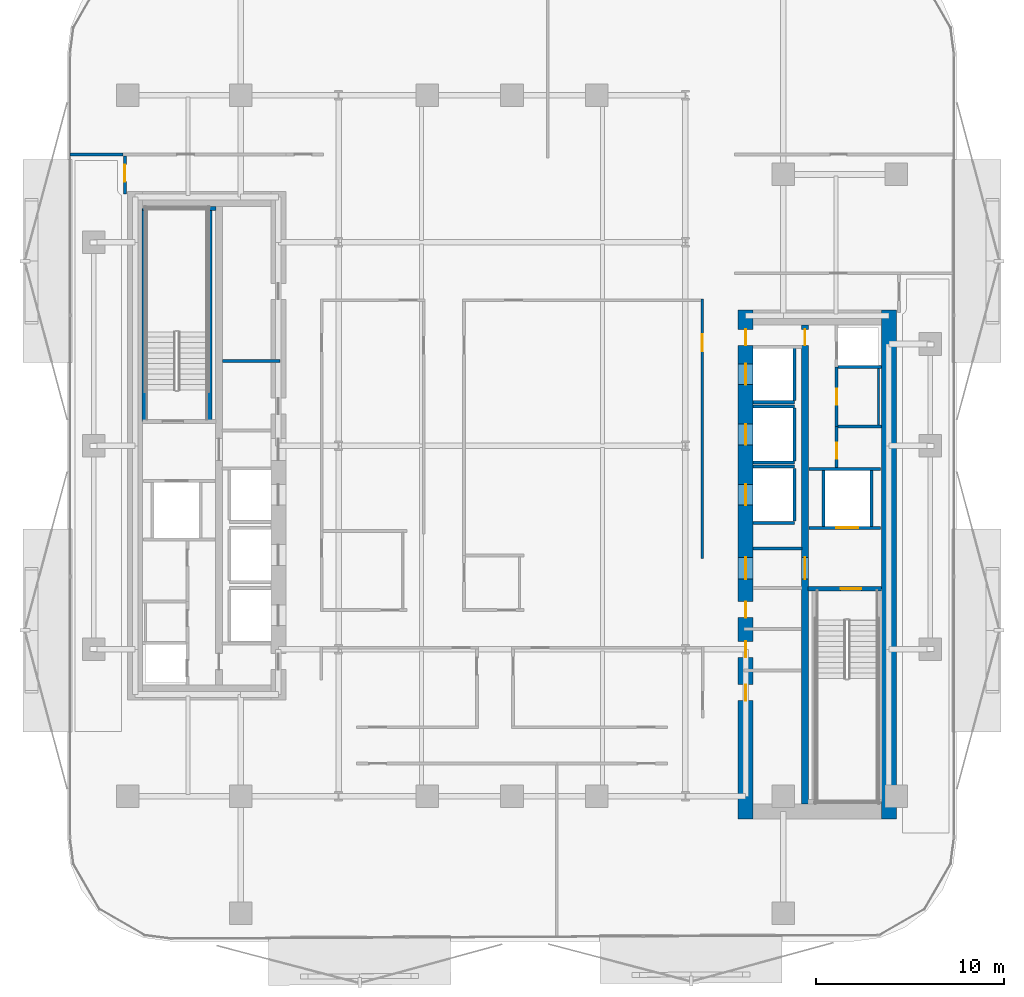
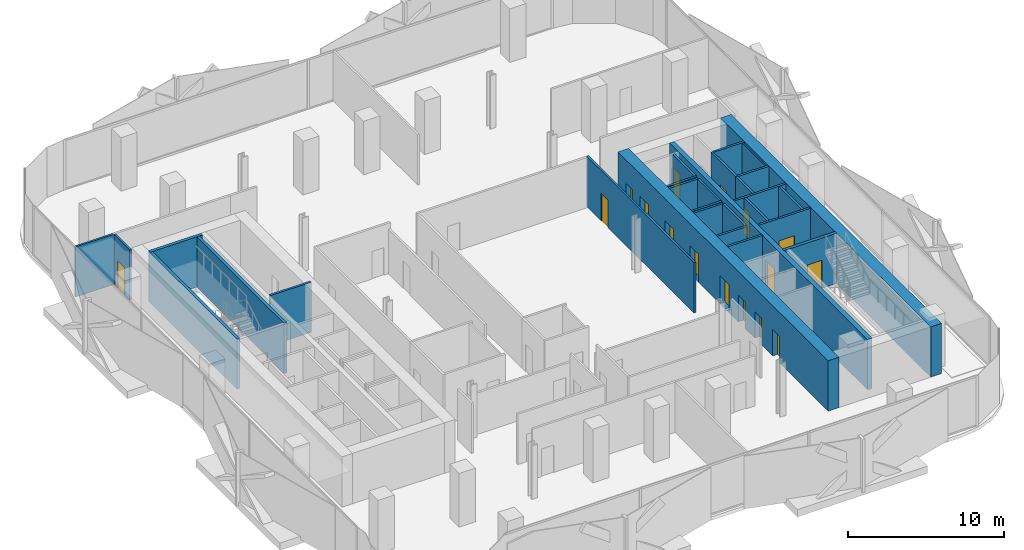
# One storey, part 5 of 16: 29 walls, 16 doors, 16 openings.
"""IFC4 building model written with IfcOpenShell, lengths in metres."""

from ifc_helpers import new_model, si_unit, direction, frame, frame_2d, origin, place, context, subcontext, project, spatial, rectangle, extrude, material, layer, layer_set, type_object, element, fill, save


model = new_model("IFC4")

# Units and contexts
model_context = context("Model", 3, precision=1e-05, world=origin(), true_north=direction((0.0, 1.0)))
body_context = subcontext(model_context, "Body", "Model", "MODEL_VIEW")
ifc_project = project(units=[si_unit("LENGTHUNIT", "METRE"), si_unit("AREAUNIT", "SQUARE_METRE"), si_unit("VOLUMEUNIT", "CUBIC_METRE"), si_unit("PLANEANGLEUNIT", "RADIAN"), si_unit("MASSUNIT", "GRAM", prefix="KILO")], contexts=[model_context])

# Site, building, storey
site_placement = place(None, origin())
site = spatial("IfcSite", under=ifc_project, at=site_placement, CompositionType="ELEMENT")
building_placement = place(site_placement, origin())
building = spatial("IfcBuilding", under=site, at=building_placement, Name="Khairoan Windgate Tower", CompositionType="ELEMENT")
storey_placement = place(building_placement, frame((0.0, 0.0, 97.39990234375)))
storey = spatial("IfcBuildingStorey", under=building, at=storey_placement, Name="L22", CompositionType="ELEMENT", Elevation=97.39990234375)

# Walls
ifc_material_1 = material(Name="Moisture-Resistant Gypsum Partition", Category="gypsum")
ifc_layer_1 = layer(ifc_material_1, 0.10009765625, Name="Moisture-Resistant Gypsum Partition")
ifc_layer_set_1 = layer_set([ifc_layer_1], Name="Moisture-Resistant Gypsum Partition")
wall_type_1 = type_object("IfcWallType", Name="Bathroom Wet-Area Partition Wall", PredefinedType="PARTITIONING", material=ifc_layer_set_1)
wall_1_placement = place(storey_placement, frame((19.449951171875, 4.090087890625, 0.0), z_axis=(0.0, 0.0, 1.0), x_axis=(0.0, -1.0, 0.0)))
element("IfcWall", 1, at=wall_1_placement, inside=storey, type_object=wall_type_1, Name="L22 Wet Room Side Wall 047", PredefinedType="PARTITIONING", context=body_context, shape_type="SweptSolid", body=[
    extrude(rectangle(XDim=2.97998046875, YDim=0.10009765625, at=frame_2d((1.489990234375, 0.0))), origin(), (0.0, 0.0, 1.0), 3.940185546875),
])
ifc_material_2 = material(Name="Concrete C40/50", Category="concrete")
ifc_layer_2 = layer(ifc_material_2, 0.159912109375, Name="Concrete C40/50")
ifc_layer_set_2 = layer_set([ifc_layer_2], Name="Concrete C40/50")
wall_type_2 = type_object("IfcWallType", Name="Core and Hoistway Enclosure Wall", PredefinedType="STANDARD", material=ifc_layer_set_2)
wall_2_placement = place(storey_placement, frame((12.800048828125, 2.31005859375, 0.0), z_axis=(0.0, 0.0, 1.0), x_axis=(1.0, 0.0, 0.0)))
element("IfcWall", 2, at=wall_2_placement, inside=storey, type_object=wall_type_2, Name="L22 Lift PL7 Hoistway Divider S", PredefinedType="STANDARD", context=body_context, shape_type="SweptSolid", body=[
    extrude(rectangle(XDim=2.18994140625, YDim=0.159912109375, at=frame_2d((1.094970703125, 0.0))), origin(), (0.0, 0.0, 1.0), 3.940185546875),
])
wall_3_placement = place(storey_placement, frame((14.989990234375, 2.39990234375, 0.0), z_axis=(0.0, 0.0, 1.0), x_axis=(0.0, 1.0, 0.0)))
element("IfcWall", 3, at=wall_3_placement, inside=storey, type_object=wall_type_2, Name="L22 Lift PL7 Hoistway Back Wall", PredefinedType="STANDARD", context=body_context, shape_type="SweptSolid", body=[
    extrude(rectangle(XDim=2.800048828125, YDim=0.159912109375, at=frame_2d((1.39990234375, 0.0))), origin(), (0.0, 0.0, 1.0), 3.940185546875),
])
for number, where, z_axis, x_axis, name in (
    (4, (12.800048828125, -0.889892578125, 0.0), (0.0, 0.0, 1.0), (1.0, 0.0, 0.0), "L22 Lift PL8 Hoistway Divider S"),
    (5, (12.800048828125, 2.090087890625, 0.0), (0.0, 0.0, 1.0), (1.0, 0.0, 0.0), "L22 Lift PL8 Hoistway Divider N"),
):
    element("IfcWall", number, at=place(storey_placement, frame(where, z_axis=z_axis, x_axis=x_axis)), inside=storey, type_object=wall_type_2, Name=name, PredefinedType="STANDARD", context=body_context, shape_type="SweptSolid", body=[
        extrude(rectangle(XDim=2.18994140625, YDim=0.159912109375, at=frame_2d((1.094970703125, 0.0))), origin(), (0.0, 0.0, 1.0), 3.940185546875),
    ])
wall_4_placement = place(storey_placement, frame((14.989990234375, -0.800048828125, 0.0), z_axis=(0.0, 0.0, 1.0), x_axis=(0.0, 1.0, 0.0)))
element("IfcWall", 6, at=wall_4_placement, inside=storey, type_object=wall_type_2, Name="L22 Lift PL8 Hoistway Back Wall", PredefinedType="STANDARD", context=body_context, shape_type="SweptSolid", body=[
    extrude(rectangle(XDim=2.800048828125, YDim=0.159912109375, at=frame_2d((1.39990234375, 0.0))), origin(), (0.0, 0.0, 1.0), 3.940185546875),
])
for number, where, z_axis, x_axis, name in (
    (7, (12.800048828125, -4.090087890625, 0.0), (0.0, 0.0, 1.0), (1.0, 0.0, 0.0), "L22 Lift PL9 Hoistway Divider S"),
    (8, (12.800048828125, -1.110107421875, 0.0), (0.0, 0.0, 1.0), (1.0, 0.0, 0.0), "L22 Lift PL9 Hoistway Divider N"),
):
    element("IfcWall", number, at=place(storey_placement, frame(where, z_axis=z_axis, x_axis=x_axis)), inside=storey, type_object=wall_type_2, Name=name, PredefinedType="STANDARD", context=body_context, shape_type="SweptSolid", body=[
        extrude(rectangle(XDim=2.18994140625, YDim=0.159912109375, at=frame_2d((1.094970703125, 0.0))), origin(), (0.0, 0.0, 1.0), 3.940185546875),
    ])
wall_5_placement = place(storey_placement, frame((14.989990234375, -4.0, 0.0), z_axis=(0.0, 0.0, 1.0), x_axis=(0.0, 1.0, 0.0)))
element("IfcWall", 9, at=wall_5_placement, inside=storey, type_object=wall_type_2, Name="L22 Lift PL9 Hoistway Back Wall", PredefinedType="STANDARD", context=body_context, shape_type="SweptSolid", body=[
    extrude(rectangle(XDim=2.800048828125, YDim=0.159912109375, at=frame_2d((1.39990234375, 0.0))), origin(), (0.0, 0.0, 1.0), 3.940185546875),
])

# Wall, opening, door
wall_6_placement = place(storey_placement, frame((15.75, -4.360107421875, 0.0), z_axis=(0.0, 0.0, 1.0), x_axis=(1.0, 0.0, 0.0)))
wall_6 = element("IfcWall", 10, at=wall_6_placement, inside=storey, type_object=wall_type_2, Name="L22 Core Shaft Wall SW-FL1-L22", PredefinedType="STANDARD", context=body_context, shape_type="SweptSolid", body=[
    extrude(rectangle(XDim=3.800048828125, YDim=0.159912109375, at=frame_2d((1.89990234375, 0.0))), origin(), (0.0, 0.0, 1.0), 3.940185546875),
])
opening_1_placement = place(wall_6_placement, frame((1.469970703125, 0.0, 0.0)))
opening_1 = element("IfcOpeningElement", 11, at=opening_1_placement, cuts=wall_6, Name="Opening LD-FL", PredefinedType="OPENING", context=body_context, shape_type="SweptSolid", body=[
    extrude(rectangle(XDim=1.14990234375, YDim=2.199951171875, at=frame_2d((0.574951171875, 1.10009765625))), frame((0.0, 0.08984375, 0.0), z_axis=(0.0, -1.0, 0.0), x_axis=(1.0, 0.0, 0.0)), (0.0, 0.0, 1.0), 0.179931640625),
])
ifc_material_3 = material(Name="Steel S355", Category="steel")
door_type_1 = type_object("IfcDoorType", Name="Firefighting Lift Sliding Landing Door LD-FL 1150x2200", OperationType="DOUBLE_DOOR_SLIDING", PredefinedType="DOOR", material=ifc_material_3)
door_1_placement = place(opening_1_placement, origin())
door_1 = element("IfcDoor", 12, at=door_1_placement, inside=storey, type_object=door_type_1, Name="L22 Firefighting Lift FL1 Landing Door", OperationType="DOUBLE_DOOR_SLIDING", OverallHeight=2.199951171875, OverallWidth=1.14990234375, PredefinedType="DOOR", context=body_context, shape_type="SweptSolid", body=[
    extrude(rectangle(XDim=1.14990234375, YDim=2.199951171875, at=frame_2d((0.574951171875, 1.10009765625))), frame((0.0, 0.02490234375, 0.0), z_axis=(0.0, -1.0, 0.0), x_axis=(1.0, 0.0, 0.0)), (0.0, 0.0, 1.0), 0.050048828125),
])
fill(opening_1, door_1)

# Walls
wall_7_placement = place(storey_placement, frame((15.75, -1.219970703125, 0.0), z_axis=(0.0, 0.0, 1.0), x_axis=(1.0, 0.0, 0.0)))
element("IfcWall", 13, at=wall_7_placement, inside=storey, type_object=wall_type_2, Name="L22 Core Shaft Wall SW-FL1T-L22", PredefinedType="STANDARD", context=body_context, shape_type="SweptSolid", body=[
    extrude(rectangle(XDim=3.800048828125, YDim=0.159912109375, at=frame_2d((1.89990234375, 0.0))), origin(), (0.0, 0.0, 1.0), 3.940185546875),
])
for number, where, z_axis, x_axis, name in (
    (14, (16.52001953125, -4.280029296875, 0.0), (0.0, 0.0, 1.0), (0.0, 1.0, 0.0), "L22 Core Shaft Wall SW-FL1W-L22"),
    (15, (19.080078125, -4.280029296875, 0.0), (0.0, 0.0, 1.0), (0.0, 1.0, 0.0), "L22 Core Shaft Wall SW-FL1E-L22"),
):
    element("IfcWall", number, at=place(storey_placement, frame(where, z_axis=z_axis, x_axis=x_axis)), inside=storey, type_object=wall_type_2, Name=name, PredefinedType="STANDARD", context=body_context, shape_type="SweptSolid", body=[
        extrude(rectangle(XDim=2.97998046875, YDim=0.159912109375, at=frame_2d((1.489990234375, 0.0))), origin(), (0.0, 0.0, 1.0), 3.940185546875),
    ])
wall_8_placement = place(storey_placement, frame((12.800048828125, -5.449951171875, 0.0), z_axis=(0.0, 0.0, 1.0), x_axis=(1.0, 0.0, 0.0)))
element("IfcWall", 16, at=wall_8_placement, inside=storey, type_object=wall_type_2, Name="L22 Core Shaft Wall SW-EV1-L22", PredefinedType="STANDARD", context=body_context, shape_type="SweptSolid", body=[
    extrude(rectangle(XDim=2.599853515625, YDim=0.159912109375, at=frame_2d((1.2998046875, 0.0))), origin(), (0.0, 0.0, 1.0), 3.940185546875),
])
ifc_material_4 = material(Name="Acoustic Fire-Rated Gypsum Partition", Category="gypsum")
ifc_layer_3 = layer(ifc_material_4, 0.139892578125, Name="Acoustic Fire-Rated Gypsum Partition")
ifc_layer_set_3 = layer_set([ifc_layer_3], Name="Acoustic Fire-Rated Gypsum Partition")
wall_type_3 = type_object("IfcWallType", Name="Inter-Tenancy Compartment Wall", PredefinedType="PARTITIONING", material=ifc_layer_set_3)
wall_9_placement = place(storey_placement, frame((-23.455078125, 15.4599609375, 0.0), z_axis=(0.0, 0.0, 1.0), x_axis=(1.0, 0.0, 0.0)))
element("IfcWall", 17, at=wall_9_placement, inside=storey, type_object=wall_type_3, Name="L22 Interior Partition 039", PredefinedType="PARTITIONING", context=body_context, shape_type="SweptSolid", body=[
    extrude(rectangle(XDim=2.815185546875, YDim=0.139892578125, at=frame_2d((1.40771484375, 0.0))), origin(), (0.0, 0.0, 1.0), 3.940185546875),
])
ifc_material_5 = material(Name="Concrete C40/50", Category="concrete")
ifc_layer_4 = layer(ifc_material_5, 0.159912109375, Name="Concrete C40/50")
ifc_layer_set_4 = layer_set([ifc_layer_4], Name="Concrete C40/50")
wall_type_4 = type_object("IfcWallType", Name="Plant and Refuge Compartment Wall", PredefinedType="PARTITIONING", material=ifc_layer_set_4)
wall_10_placement = place(storey_placement, frame((-15.375, 4.5, 0.0), z_axis=(0.0, 0.0, 1.0), x_axis=(1.0, 0.0, 0.0)))
element("IfcWall", 18, at=wall_10_placement, inside=storey, type_object=wall_type_4, Name="L22 Interior Partition 006", PredefinedType="PARTITIONING", context=body_context, shape_type="SweptSolid", body=[
    extrude(rectangle(XDim=3.06494140625, YDim=0.159912109375, at=frame_2d((1.532470703125, 0.0))), origin(), (0.0, 0.0, 1.0), 3.940185546875),
])

# Wall, opening, door
wall_11_placement = place(storey_placement, frame((17.22998046875, -1.139892578125, 0.0), z_axis=(0.0, 0.0, 1.0), x_axis=(0.0, 1.0, 0.0)))
wall_11 = element("IfcWall", 19, at=wall_11_placement, inside=storey, type_object=wall_type_4, Name="L22 Interior Partition 008", PredefinedType="PARTITIONING", context=body_context, shape_type="SweptSolid", body=[
    extrude(rectangle(XDim=2.169921875, YDim=0.159912109375, at=frame_2d((1.0849609375, 0.0))), origin(), (0.0, 0.0, 1.0), 3.940185546875),
])
opening_2_placement = place(wall_11_placement, frame((0.4599609375, 0.0, 0.0)))
opening_2 = element("IfcOpeningElement", 20, at=opening_2_placement, cuts=wall_11, Name="Opening FD-SRV", PredefinedType="OPENING", context=body_context, shape_type="SweptSolid", body=[
    extrude(rectangle(XDim=0.85009765625, YDim=2.10009765625, at=frame_2d((0.425048828125, 1.050048828125))), frame((0.0, 0.08984375, 0.0), z_axis=(0.0, -1.0, 0.0), x_axis=(1.0, 0.0, 0.0)), (0.0, 0.0, 1.0), 0.179931640625),
])
ifc_material_6 = material(Name="Steel S355", Category="steel")
door_type_2 = type_object("IfcDoorType", Name="Core Service and Riser Fire Door FD-SRV 850x2100", OperationType="NOTDEFINED", PredefinedType="DOOR", material=ifc_material_6)
door_2_placement = place(opening_2_placement, origin())
door_2 = element("IfcDoor", 21, at=door_2_placement, inside=storey, type_object=door_type_2, Name="L22 L22-18-L22-20 Door", OperationType="SINGLE_SWING_RIGHT", OverallHeight=2.10009765625, OverallWidth=0.85009765625, PredefinedType="DOOR", context=body_context, shape_type="SweptSolid", body=[
    extrude(rectangle(XDim=0.85009765625, YDim=2.10009765625, at=frame_2d((0.425048828125, 1.050048828125))), frame((0.0, 0.02490234375, 0.0), z_axis=(0.0, -1.0, 0.0), x_axis=(1.0, 0.0, 0.0)), (0.0, 0.0, 1.0), 0.050048828125),
])
fill(opening_2, door_2)

wall_12_placement = place(storey_placement, frame((17.22998046875, 1.030029296875, 0.0), z_axis=(0.0, 0.0, 1.0), x_axis=(0.0, 1.0, 0.0)))
wall_12 = element("IfcWall", 22, at=wall_12_placement, inside=storey, type_object=wall_type_4, Name="L22 Interior Partition 009", PredefinedType="PARTITIONING", context=body_context, shape_type="SweptSolid", body=[
    extrude(rectangle(XDim=3.139892578125, YDim=0.159912109375, at=frame_2d((1.56982421875, 0.0))), origin(), (0.0, 0.0, 1.0), 3.940185546875),
])
opening_3_placement = place(wall_12_placement, frame((1.14501953125, 0.0, 0.0)))
opening_3 = element("IfcOpeningElement", 23, at=opening_3_placement, cuts=wall_12, Name="Opening FD-SRV", PredefinedType="OPENING", context=body_context, shape_type="SweptSolid", body=[
    extrude(rectangle(XDim=0.85009765625, YDim=2.10009765625, at=frame_2d((0.425048828125, 1.050048828125))), frame((0.0, 0.08984375, 0.0), z_axis=(0.0, -1.0, 0.0), x_axis=(1.0, 0.0, 0.0)), (0.0, 0.0, 1.0), 0.179931640625),
])
door_3_placement = place(opening_3_placement, origin())
door_3 = element("IfcDoor", 24, at=door_3_placement, inside=storey, type_object=door_type_2, Name="L22 L22-18-L22-21 Door", OperationType="SINGLE_SWING_LEFT", OverallHeight=2.10009765625, OverallWidth=0.85009765625, PredefinedType="DOOR", context=body_context, shape_type="SweptSolid", body=[
    extrude(rectangle(XDim=0.85009765625, YDim=2.10009765625, at=frame_2d((0.425048828125, 1.050048828125))), frame((0.0, 0.02490234375, 0.0), z_axis=(0.0, -1.0, 0.0), x_axis=(1.0, 0.0, 0.0)), (0.0, 0.0, 1.0), 0.050048828125),
])
fill(opening_3, door_3)

# Walls
for number, where, z_axis, x_axis, name in (
    (25, (17.31005859375, 4.169921875, 0.0), (0.0, 0.0, 1.0), (1.0, 0.0, 0.0), "L22 Interior Partition 010"),
    (26, (17.31005859375, 1.030029296875, 0.0), (0.0, 0.0, 1.0), (1.0, 0.0, 0.0), "L22 Interior Partition 011"),
):
    element("IfcWall", number, at=place(storey_placement, frame(where, z_axis=z_axis, x_axis=x_axis)), inside=storey, type_object=wall_type_4, Name=name, PredefinedType="PARTITIONING", context=body_context, shape_type="SweptSolid", body=[
        extrude(rectangle(XDim=2.2900390625, YDim=0.159912109375, at=frame_2d((1.14501953125, 0.0))), origin(), (0.0, 0.0, 1.0), 3.940185546875),
    ])

# Wall, opening, door
ifc_material_7 = material(Name="Acoustic Fire-Rated Gypsum Partition", Category="gypsum")
ifc_layer_5 = layer(ifc_material_7, 0.14990234375, Name="Acoustic Fire-Rated Gypsum Partition")
ifc_layer_set_5 = layer_set([ifc_layer_5], Name="Acoustic Fire-Rated Gypsum Partition")
wall_type_5 = type_object("IfcWallType", Name="Rated Corridor Partition Wall", PredefinedType="PARTITIONING", material=ifc_layer_set_5)
wall_13_placement = place(storey_placement, frame((10.10009765625, -5.97998046875, 0.0), z_axis=(0.0, 0.0, 1.0), x_axis=(0.0, 1.0, 0.0)))
wall_13 = element("IfcWall", 27, at=wall_13_placement, inside=storey, type_object=wall_type_5, Name="L22 Interior Partition 018", PredefinedType="PARTITIONING", context=body_context, shape_type="SweptSolid", body=[
    extrude(rectangle(XDim=13.77490234375, YDim=0.14990234375, at=frame_2d((6.887451171875, 0.0))), origin(), (0.0, 0.0, 1.0), 3.940185546875),
])
opening_4_placement = place(wall_13_placement, frame((10.99658203125, 0.0, 0.0)))
opening_4 = element("IfcOpeningElement", 28, at=opening_4_placement, cuts=wall_13, Name="Opening FD-ENT", PredefinedType="OPENING", context=body_context, shape_type="SweptSolid", body=[
    extrude(rectangle(XDim=0.89990234375, YDim=2.14990234375, at=frame_2d((0.449951171875, 1.074951171875))), frame((0.0, 0.0849609375, 0.0), z_axis=(0.0, -1.0, 0.0), x_axis=(1.0, 0.0, 0.0)), (0.0, 0.0, 1.0), 0.169921875),
])
ifc_material_8 = material(Name="Timber Fire-Rated Core", Category="wood")
door_type_3 = type_object("IfcDoorType", Name="Unit and Office Fire Entrance Door FD-ENT 900x2150", OperationType="NOTDEFINED", PredefinedType="DOOR", material=ifc_material_8)
door_4_placement = place(opening_4_placement, origin())
door_4 = element("IfcDoor", 29, at=door_4_placement, inside=storey, type_object=door_type_3, Name="L22 L22-31-L22-47 Door", OperationType="SINGLE_SWING_RIGHT", OverallHeight=2.14990234375, OverallWidth=0.89990234375, PredefinedType="DOOR", context=body_context, shape_type="SweptSolid", body=[
    extrude(rectangle(XDim=0.89990234375, YDim=2.14990234375, at=frame_2d((0.449951171875, 1.074951171875))), frame((0.0, 0.02490234375, 0.0), z_axis=(0.0, -1.0, 0.0), x_axis=(1.0, 0.0, 0.0)), (0.0, 0.0, 1.0), 0.050048828125),
])
fill(opening_4, door_4)

wall_14_placement = place(storey_placement, frame((-20.5400390625, 13.360107421875, 0.0), z_axis=(0.0, 0.0, 1.0), x_axis=(0.0, 1.0, 0.0)))
wall_14 = element("IfcWall", 30, at=wall_14_placement, inside=storey, type_object=wall_type_5, Name="L22 Interior Partition 029", PredefinedType="PARTITIONING", context=body_context, shape_type="SweptSolid", body=[
    extrude(rectangle(XDim=2.02490234375, YDim=0.14990234375, at=frame_2d((1.012451171875, 0.0))), origin(), (0.0, 0.0, 1.0), 3.940185546875),
])
opening_5_placement = place(wall_14_placement, frame((0.6650390625, 0.0, 0.0)))
opening_5 = element("IfcOpeningElement", 31, at=opening_5_placement, cuts=wall_14, Name="Opening FD-ENT", PredefinedType="OPENING", context=body_context, shape_type="SweptSolid", body=[
    extrude(rectangle(XDim=0.89990234375, YDim=2.14990234375, at=frame_2d((0.449951171875, 1.074951171875))), frame((0.0, 0.0849609375, 0.0), z_axis=(0.0, -1.0, 0.0), x_axis=(1.0, 0.0, 0.0)), (0.0, 0.0, 1.0), 0.169921875),
])
door_5_placement = place(opening_5_placement, origin())
door_5 = element("IfcDoor", 32, at=door_5_placement, inside=storey, type_object=door_type_3, Name="L22 L22-35-L22-39 Door", OperationType="SINGLE_SWING_LEFT", OverallHeight=2.14990234375, OverallWidth=0.89990234375, PredefinedType="DOOR", context=body_context, shape_type="SweptSolid", body=[
    extrude(rectangle(XDim=0.89990234375, YDim=2.14990234375, at=frame_2d((0.449951171875, 1.074951171875))), frame((0.0, 0.02490234375, 0.0), z_axis=(0.0, -1.0, 0.0), x_axis=(1.0, 0.0, 0.0)), (0.0, 0.0, 1.0), 0.050048828125),
])
fill(opening_5, door_5)

# Wall, openings, doors
ifc_material_9 = material(Name="Concrete C70/85", Category="concrete")
ifc_layer_6 = layer(ifc_material_9, 0.800048828125, Name="Concrete C70/85")
ifc_layer_set_6 = layer_set([ifc_layer_6], Name="Concrete C70/85")
wall_type_6 = type_object("IfcWallType", Name="Shear Wall CW-E1 800mm", PredefinedType="SHEAR", material=ifc_layer_set_6)
wall_15_placement = place(storey_placement, frame((12.39990234375, -19.800048828125, 0.0), z_axis=(0.0, 0.0, 1.0), x_axis=(0.0, 1.0, 0.0)))
wall_15 = element("IfcWall", 33, at=wall_15_placement, inside=storey, type_object=wall_type_6, Name="E Core West Shear Wall L22", PredefinedType="SHEAR", context=body_context, shape_type="SweptSolid", body=[
    extrude(rectangle(XDim=27.0, YDim=0.800048828125, at=frame_2d((13.5, 0.0))), origin(), (0.0, 0.0, 1.0), 3.940185546875),
])
opening_6_placement = place(wall_15_placement, frame((23.050048828125, 0.0, 0.0)))
opening_6 = element("IfcOpeningElement", 34, at=opening_6_placement, cuts=wall_15, Name="Opening LD-PL", PredefinedType="OPENING", context=body_context, shape_type="SweptSolid", body=[
    extrude(rectangle(XDim=1.10009765625, YDim=2.199951171875, at=frame_2d((0.550048828125, 1.10009765625))), frame((0.0, 0.409912109375, 0.0), z_axis=(0.0, -1.0, 0.0), x_axis=(1.0, 0.0, 0.0)), (0.0, 0.0, 1.0), 0.820068359375),
])
opening_7_placement = place(wall_15_placement, frame((19.85009765625, 0.0, 0.0)))
opening_7 = element("IfcOpeningElement", 35, at=opening_7_placement, cuts=wall_15, Name="Opening LD-PL", PredefinedType="OPENING", context=body_context, shape_type="SweptSolid", body=[
    extrude(rectangle(XDim=1.10009765625, YDim=2.199951171875, at=frame_2d((0.550048828125, 1.10009765625))), frame((0.0, 0.409912109375, 0.0), z_axis=(0.0, -1.0, 0.0), x_axis=(1.0, 0.0, 0.0)), (0.0, 0.0, 1.0), 0.820068359375),
])
opening_8_placement = place(wall_15_placement, frame((16.64990234375, 0.0, 0.0)))
opening_8 = element("IfcOpeningElement", 36, at=opening_8_placement, cuts=wall_15, Name="Opening LD-PL", PredefinedType="OPENING", context=body_context, shape_type="SweptSolid", body=[
    extrude(rectangle(XDim=1.10009765625, YDim=2.199951171875, at=frame_2d((0.550048828125, 1.10009765625))), frame((0.0, 0.409912109375, 0.0), z_axis=(0.0, -1.0, 0.0), x_axis=(1.0, 0.0, 0.0)), (0.0, 0.0, 1.0), 0.820068359375),
])
opening_9_placement = place(wall_15_placement, frame((6.27490234375, 0.0, 0.0)))
opening_9 = element("IfcOpeningElement", 37, at=opening_9_placement, cuts=wall_15, Name="Opening FD-SRV", PredefinedType="OPENING", context=body_context, shape_type="SweptSolid", body=[
    extrude(rectangle(XDim=0.85009765625, YDim=2.10009765625, at=frame_2d((0.425048828125, 1.050048828125))), frame((0.0, 0.409912109375, 0.0), z_axis=(0.0, -1.0, 0.0), x_axis=(1.0, 0.0, 0.0)), (0.0, 0.0, 1.0), 0.820068359375),
])
opening_10_placement = place(wall_15_placement, frame((8.574951171875, 0.0, 0.0)))
opening_10 = element("IfcOpeningElement", 38, at=opening_10_placement, cuts=wall_15, Name="Opening FD-SRV", PredefinedType="OPENING", context=body_context, shape_type="SweptSolid", body=[
    extrude(rectangle(XDim=0.85009765625, YDim=2.10009765625, at=frame_2d((0.425048828125, 1.050048828125))), frame((0.0, 0.409912109375, 0.0), z_axis=(0.0, -1.0, 0.0), x_axis=(1.0, 0.0, 0.0)), (0.0, 0.0, 1.0), 0.820068359375),
])
opening_11_placement = place(wall_15_placement, frame((10.675048828125, 0.0, 0.0)))
opening_11 = element("IfcOpeningElement", 39, at=opening_11_placement, cuts=wall_15, Name="Opening FD-SRV", PredefinedType="OPENING", context=body_context, shape_type="SweptSolid", body=[
    extrude(rectangle(XDim=0.85009765625, YDim=2.10009765625, at=frame_2d((0.425048828125, 1.050048828125))), frame((0.0, 0.409912109375, 0.0), z_axis=(0.0, -1.0, 0.0), x_axis=(1.0, 0.0, 0.0)), (0.0, 0.0, 1.0), 0.820068359375),
])
opening_12_placement = place(wall_15_placement, frame((12.72509765625, 0.0, 0.0)))
opening_12 = element("IfcOpeningElement", 40, at=opening_12_placement, cuts=wall_15, Name="Opening FD-FFL", PredefinedType="OPENING", context=body_context, shape_type="SweptSolid", body=[
    extrude(rectangle(XDim=1.14990234375, YDim=2.199951171875, at=frame_2d((0.574951171875, 1.10009765625))), frame((0.0, 0.409912109375, 0.0), z_axis=(0.0, -1.0, 0.0), x_axis=(1.0, 0.0, 0.0)), (0.0, 0.0, 1.0), 0.820068359375),
])
opening_13_placement = place(wall_15_placement, frame((25.125, 0.0, 0.0)))
opening_13 = element("IfcOpeningElement", 41, at=opening_13_placement, cuts=wall_15, Name="Opening FD-SRV", PredefinedType="OPENING", context=body_context, shape_type="SweptSolid", body=[
    extrude(rectangle(XDim=0.85009765625, YDim=2.10009765625, at=frame_2d((0.425048828125, 1.050048828125))), frame((0.0, 0.409912109375, 0.0), z_axis=(0.0, -1.0, 0.0), x_axis=(1.0, 0.0, 0.0)), (0.0, 0.0, 1.0), 0.820068359375),
])
door_6_placement = place(opening_9_placement, origin())
door_6 = element("IfcDoor", 42, at=door_6_placement, inside=storey, type_object=door_type_2, Name="L22 East Core Service Room Door 1", OperationType="SINGLE_SWING_LEFT", OverallHeight=2.10009765625, OverallWidth=0.85009765625, PredefinedType="DOOR", context=body_context, shape_type="SweptSolid", body=[
    extrude(rectangle(XDim=0.85009765625, YDim=2.10009765625, at=frame_2d((0.425048828125, 1.050048828125))), frame((0.0, 0.02490234375, 0.0), z_axis=(0.0, -1.0, 0.0), x_axis=(1.0, 0.0, 0.0)), (0.0, 0.0, 1.0), 0.050048828125),
])
fill(opening_9, door_6)
door_7_placement = place(opening_10_placement, origin())
door_7 = element("IfcDoor", 43, at=door_7_placement, inside=storey, type_object=door_type_2, Name="L22 East Core Service Room Door 2", OperationType="SINGLE_SWING_RIGHT", OverallHeight=2.10009765625, OverallWidth=0.85009765625, PredefinedType="DOOR", context=body_context, shape_type="SweptSolid", body=[
    extrude(rectangle(XDim=0.85009765625, YDim=2.10009765625, at=frame_2d((0.425048828125, 1.050048828125))), frame((0.0, 0.02490234375, 0.0), z_axis=(0.0, -1.0, 0.0), x_axis=(1.0, 0.0, 0.0)), (0.0, 0.0, 1.0), 0.050048828125),
])
fill(opening_10, door_7)
door_8_placement = place(opening_11_placement, origin())
door_8 = element("IfcDoor", 44, at=door_8_placement, inside=storey, type_object=door_type_2, Name="L22 East Core Service Room Door 3", OperationType="SINGLE_SWING_LEFT", OverallHeight=2.10009765625, OverallWidth=0.85009765625, PredefinedType="DOOR", context=body_context, shape_type="SweptSolid", body=[
    extrude(rectangle(XDim=0.85009765625, YDim=2.10009765625, at=frame_2d((0.425048828125, 1.050048828125))), frame((0.0, 0.02490234375, 0.0), z_axis=(0.0, -1.0, 0.0), x_axis=(1.0, 0.0, 0.0)), (0.0, 0.0, 1.0), 0.050048828125),
])
fill(opening_11, door_8)
door_9_placement = place(opening_13_placement, origin())
door_9 = element("IfcDoor", 45, at=door_9_placement, inside=storey, type_object=door_type_2, Name="L22 East Core Service Vestibule Outer Door", OperationType="SINGLE_SWING_RIGHT", OverallHeight=2.10009765625, OverallWidth=0.85009765625, PredefinedType="DOOR", context=body_context, shape_type="SweptSolid", body=[
    extrude(rectangle(XDim=0.85009765625, YDim=2.10009765625, at=frame_2d((0.425048828125, 1.050048828125))), frame((0.0, 0.02490234375, 0.0), z_axis=(0.0, -1.0, 0.0), x_axis=(1.0, 0.0, 0.0)), (0.0, 0.0, 1.0), 0.050048828125),
])
fill(opening_13, door_9)
ifc_material_10 = material(Name="Steel S355", Category="steel")
door_type_4 = type_object("IfcDoorType", Name="Firefighting Lobby Fire Door FD-FFL 1150x2200", OperationType="NOTDEFINED", PredefinedType="DOOR", material=ifc_material_10)
door_10_placement = place(opening_12_placement, origin())
door_10 = element("IfcDoor", 46, at=door_10_placement, inside=storey, type_object=door_type_4, Name="L22 East Core Vestibule Entry Door", OperationType="SINGLE_SWING_RIGHT", OverallHeight=2.199951171875, OverallWidth=1.14990234375, PredefinedType="DOOR", context=body_context, shape_type="SweptSolid", body=[
    extrude(rectangle(XDim=1.14990234375, YDim=2.199951171875, at=frame_2d((0.574951171875, 1.10009765625))), frame((0.0, 0.02490234375, 0.0), z_axis=(0.0, -1.0, 0.0), x_axis=(1.0, 0.0, 0.0)), (0.0, 0.0, 1.0), 0.050048828125),
])
fill(opening_12, door_10)
ifc_material_11 = material(Name="Anodised Bronze Aluminium 6063-T6", Category="aluminium")
door_type_5 = type_object("IfcDoorType", Name="Passenger Lift Sliding Landing Door LD-PL 1100x2200", OperationType="DOUBLE_DOOR_SLIDING", PredefinedType="DOOR", material=ifc_material_11)
door_11_placement = place(opening_6_placement, origin())
door_11 = element("IfcDoor", 47, at=door_11_placement, inside=storey, type_object=door_type_5, Name="L22 Lift PL7 Sliding Landing Door", OperationType="DOUBLE_DOOR_SLIDING", OverallHeight=2.199951171875, OverallWidth=1.10009765625, PredefinedType="DOOR", context=body_context, shape_type="SweptSolid", body=[
    extrude(rectangle(XDim=1.10009765625, YDim=2.199951171875, at=frame_2d((0.550048828125, 1.10009765625))), frame((0.0, 0.02490234375, 0.0), z_axis=(0.0, -1.0, 0.0), x_axis=(1.0, 0.0, 0.0)), (0.0, 0.0, 1.0), 0.050048828125),
])
fill(opening_6, door_11)
door_12_placement = place(opening_7_placement, origin())
door_12 = element("IfcDoor", 48, at=door_12_placement, inside=storey, type_object=door_type_5, Name="L22 Lift PL8 Sliding Landing Door", OperationType="DOUBLE_DOOR_SLIDING", OverallHeight=2.199951171875, OverallWidth=1.10009765625, PredefinedType="DOOR", context=body_context, shape_type="SweptSolid", body=[
    extrude(rectangle(XDim=1.10009765625, YDim=2.199951171875, at=frame_2d((0.550048828125, 1.10009765625))), frame((0.0, 0.02490234375, 0.0), z_axis=(0.0, -1.0, 0.0), x_axis=(1.0, 0.0, 0.0)), (0.0, 0.0, 1.0), 0.050048828125),
])
fill(opening_7, door_12)
door_13_placement = place(opening_8_placement, origin())
door_13 = element("IfcDoor", 49, at=door_13_placement, inside=storey, type_object=door_type_5, Name="L22 Lift PL9 Sliding Landing Door", OperationType="DOUBLE_DOOR_SLIDING", OverallHeight=2.199951171875, OverallWidth=1.10009765625, PredefinedType="DOOR", context=body_context, shape_type="SweptSolid", body=[
    extrude(rectangle(XDim=1.10009765625, YDim=2.199951171875, at=frame_2d((0.550048828125, 1.10009765625))), frame((0.0, 0.02490234375, 0.0), z_axis=(0.0, -1.0, 0.0), x_axis=(1.0, 0.0, 0.0)), (0.0, 0.0, 1.0), 0.050048828125),
])
fill(opening_8, door_13)

# Wall
wall_16_placement = place(storey_placement, frame((20.0, -19.800048828125, 0.0), z_axis=(0.0, 0.0, 1.0), x_axis=(0.0, 1.0, 0.0)))
element("IfcWall", 50, at=wall_16_placement, inside=storey, type_object=wall_type_6, Name="E Core East Shear Wall L22", PredefinedType="SHEAR", context=body_context, shape_type="SweptSolid", body=[
    extrude(rectangle(XDim=27.0, YDim=0.800048828125, at=frame_2d((13.5, 0.0))), origin(), (0.0, 0.0, 1.0), 3.940185546875),
])

# Wall, openings, doors
ifc_material_12 = material(Name="Concrete C60/75", Category="concrete")
ifc_layer_7 = layer(ifc_material_12, 0.35009765625, Name="Concrete C60/75")
ifc_layer_set_7 = layer_set([ifc_layer_7], Name="Concrete C60/75")
wall_type_7 = type_object("IfcWallType", Name="Shear Wall SW-1 350mm", PredefinedType="SHEAR", material=ifc_layer_set_7)
wall_17_placement = place(storey_placement, frame((15.550048828125, -19.0, 0.0), z_axis=(0.0, 0.0, 1.0), x_axis=(0.0, 1.0, 0.0)))
wall_17 = element("IfcWall", 51, at=wall_17_placement, inside=storey, type_object=wall_type_7, Name="E Core Spine Shear Wall L22", PredefinedType="SHEAR", context=body_context, shape_type="SweptSolid", body=[
    extrude(rectangle(XDim=25.39990234375, YDim=0.35009765625, at=frame_2d((12.699951171875, 0.0))), origin(), (0.0, 0.0, 1.0), 3.940185546875),
])
opening_14_placement = place(wall_17_placement, frame((11.925048828125, 0.0, 0.0)))
opening_14 = element("IfcOpeningElement", 52, at=opening_14_placement, cuts=wall_17, Name="Opening FD-FFL", PredefinedType="OPENING", context=body_context, shape_type="SweptSolid", body=[
    extrude(rectangle(XDim=1.14990234375, YDim=2.199951171875, at=frame_2d((0.574951171875, 1.10009765625))), frame((0.0, 0.18505859375, 0.0), z_axis=(0.0, -1.0, 0.0), x_axis=(1.0, 0.0, 0.0)), (0.0, 0.0, 1.0), 0.3701171875),
])
opening_15_placement = place(wall_17_placement, frame((24.324951171875, 0.0, 0.0)))
opening_15 = element("IfcOpeningElement", 53, at=opening_15_placement, cuts=wall_17, Name="Opening FD-SRV", PredefinedType="OPENING", context=body_context, shape_type="SweptSolid", body=[
    extrude(rectangle(XDim=0.85009765625, YDim=2.10009765625, at=frame_2d((0.425048828125, 1.050048828125))), frame((0.0, 0.18505859375, 0.0), z_axis=(0.0, -1.0, 0.0), x_axis=(1.0, 0.0, 0.0)), (0.0, 0.0, 1.0), 0.3701171875),
])
door_14_placement = place(opening_15_placement, origin())
door_14 = element("IfcDoor", 54, at=door_14_placement, inside=storey, type_object=door_type_2, Name="L22 East Core Service Passage Inner Door", OperationType="SINGLE_SWING_LEFT", OverallHeight=2.10009765625, OverallWidth=0.85009765625, PredefinedType="DOOR", context=body_context, shape_type="SweptSolid", body=[
    extrude(rectangle(XDim=0.85009765625, YDim=2.10009765625, at=frame_2d((0.425048828125, 1.050048828125))), frame((0.0, 0.02490234375, 0.0), z_axis=(0.0, -1.0, 0.0), x_axis=(1.0, 0.0, 0.0)), (0.0, 0.0, 1.0), 0.050048828125),
])
fill(opening_15, door_14)
door_15_placement = place(opening_14_placement, origin())
door_15 = element("IfcDoor", 55, at=door_15_placement, inside=storey, type_object=door_type_4, Name="L22 East Firefighting Lobby Fire Door", OperationType="SINGLE_SWING_LEFT", OverallHeight=2.199951171875, OverallWidth=1.14990234375, PredefinedType="DOOR", context=body_context, shape_type="SweptSolid", body=[
    extrude(rectangle(XDim=1.14990234375, YDim=2.199951171875, at=frame_2d((0.574951171875, 1.10009765625))), frame((0.0, 0.02490234375, 0.0), z_axis=(0.0, -1.0, 0.0), x_axis=(1.0, 0.0, 0.0)), (0.0, 0.0, 1.0), 0.050048828125),
])
fill(opening_14, door_15)

# Wall, opening, door
ifc_material_13 = material(Name="Concrete C50/60", Category="concrete")
ifc_layer_8 = layer(ifc_material_13, 0.219970703125, Name="Concrete C50/60")
ifc_layer_set_8 = layer_set([ifc_layer_8], Name="Concrete C50/60")
wall_type_8 = type_object("IfcWallType", Name="Shear Wall SW-ST 220mm", PredefinedType="SHEAR", material=ifc_layer_set_8)
wall_18_placement = place(storey_placement, frame((19.6201171875, -7.590087890625, 0.0), z_axis=(0.0, 0.0, 1.0), x_axis=(-1.0, 0.0, 0.0)))
wall_18 = element("IfcWall", 56, at=wall_18_placement, inside=storey, type_object=wall_type_8, Name="L22 Stair ST1 North Bearing Wall", PredefinedType="SHEAR", context=body_context, shape_type="SweptSolid", body=[
    extrude(rectangle(XDim=3.9150390625, YDim=0.219970703125, at=frame_2d((1.95751953125, 0.0))), origin(), (0.0, 0.0, 1.0), 3.940185546875),
])
opening_16_placement = place(wall_18_placement, frame((1.080078125, 0.0, 0.0)))
opening_16 = element("IfcOpeningElement", 57, at=opening_16_placement, cuts=wall_18, Name="Opening FD-ST", PredefinedType="OPENING", context=body_context, shape_type="SweptSolid", body=[
    extrude(rectangle(XDim=1.10009765625, YDim=2.199951171875, at=frame_2d((0.550048828125, 1.10009765625))), frame((0.0, 0.119873046875, 0.0), z_axis=(0.0, -1.0, 0.0), x_axis=(1.0, 0.0, 0.0)), (0.0, 0.0, 1.0), 0.239990234375),
])
ifc_material_14 = material(Name="Steel S355", Category="steel")
door_type_6 = type_object("IfcDoorType", Name="Smokeproof Stair Fire Door FD-ST 1100x2200", OperationType="NOTDEFINED", PredefinedType="DOOR", material=ifc_material_14)
door_16_placement = place(opening_16_placement, origin())
door_16 = element("IfcDoor", 58, at=door_16_placement, inside=storey, type_object=door_type_6, Name="L22 Stair ST1 Fire Door", OperationType="SINGLE_SWING_LEFT", OverallHeight=2.199951171875, OverallWidth=1.10009765625, PredefinedType="DOOR", context=body_context, shape_type="SweptSolid", body=[
    extrude(rectangle(XDim=1.10009765625, YDim=2.199951171875, at=frame_2d((0.550048828125, 1.10009765625))), frame((0.0, 0.02490234375, 0.0), z_axis=(0.0, -1.0, 0.0), x_axis=(1.0, 0.0, 0.0)), (0.0, 0.0, 1.0), 0.050048828125),
])
fill(opening_16, door_16)

# Walls
for number, where, z_axis, x_axis, name in (
    (59, (-16.0400390625, 1.2900390625, 0.0), (0.0, 0.0, 1.0), (0.0, 1.0, 0.0), "L22 Stair ST2 East Bearing Wall"),
    (60, (-19.530029296875, 1.2900390625, 0.0), (0.0, 0.0, 1.0), (0.0, 1.0, 0.0), "L22 Stair ST2 West Bearing Wall"),
):
    element("IfcWall", number, at=place(storey_placement, frame(where, z_axis=z_axis, x_axis=x_axis)), inside=storey, type_object=wall_type_8, Name=name, PredefinedType="SHEAR", context=body_context, shape_type="SweptSolid", body=[
        extrude(rectangle(XDim=11.300048828125, YDim=0.219970703125, at=frame_2d((5.64990234375, 0.0))), origin(), (0.0, 0.0, 1.0), 3.940185546875),
    ])
wall_19_placement = place(storey_placement, frame((-19.6201171875, 12.590087890625, 0.0), z_axis=(0.0, 0.0, 1.0), x_axis=(1.0, 0.0, 0.0)))
element("IfcWall", 61, at=wall_19_placement, inside=storey, type_object=wall_type_8, Name="L22 Stair ST2 North Bearing Wall", PredefinedType="SHEAR", context=body_context, shape_type="SweptSolid", body=[
    extrude(rectangle(XDim=3.9150390625, YDim=0.219970703125, at=frame_2d((1.95751953125, 0.0))), origin(), (0.0, 0.0, 1.0), 3.940185546875),
])

save(model, "model.ifc")
